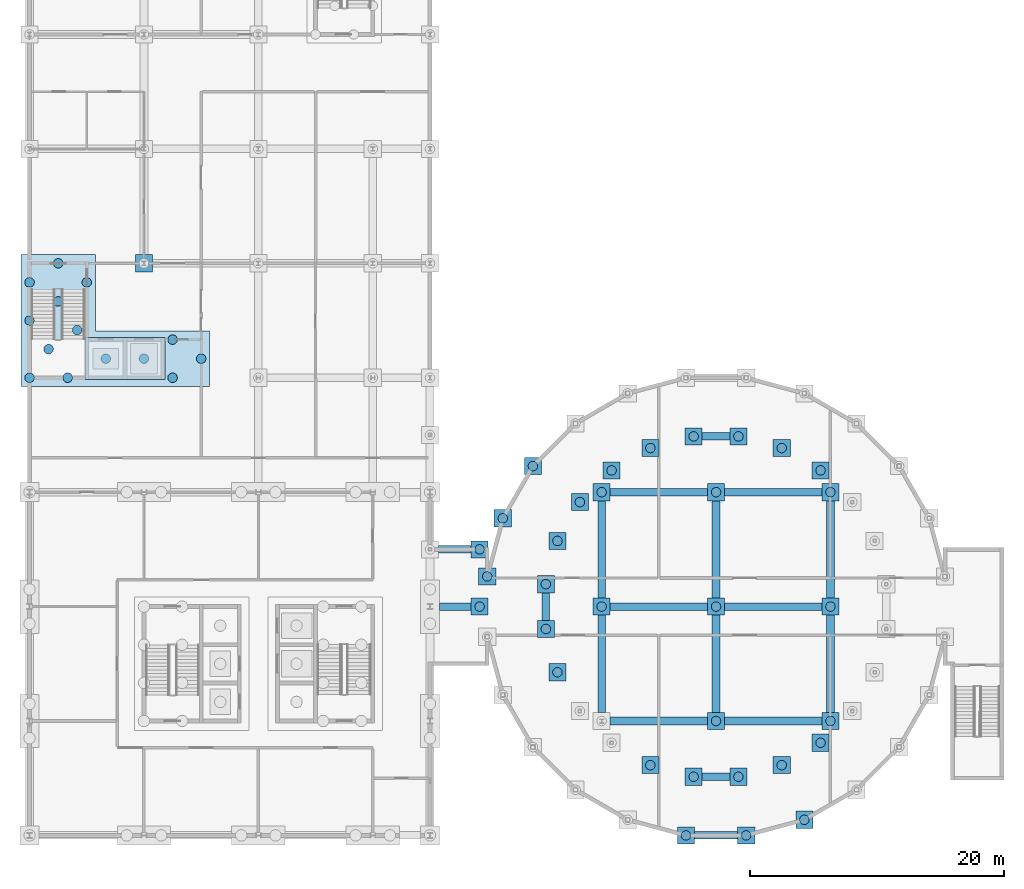
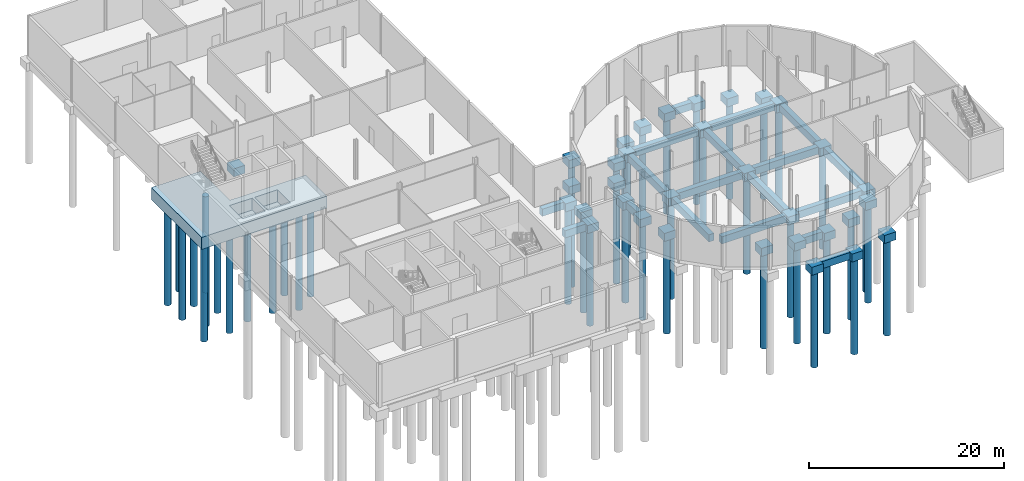
# One storey, part 2 of 25: 53 footings, 46 piles.
"""IFC4 building model written with IfcOpenShell, lengths in metres."""

from ifc_helpers import new_model, si_unit, direction, frame, origin, origin_2d, place, context, subcontext, project, spatial, polyline, circle, outline, extrude, material, material_profile, profile_set, type_object, element, save


model = new_model("IFC4")

# Units and contexts
model_context = context("Model", 3, precision=1e-05, world=origin(), true_north=direction((0.0, 1.0)))
body_context = subcontext(model_context, "Body", "Model", "MODEL_VIEW")
ifc_project = project(units=[si_unit("LENGTHUNIT", "METRE"), si_unit("AREAUNIT", "SQUARE_METRE"), si_unit("VOLUMEUNIT", "CUBIC_METRE"), si_unit("PLANEANGLEUNIT", "RADIAN"), si_unit("MASSUNIT", "GRAM", prefix="KILO")], contexts=[model_context])

# Site, building, storey
site_placement = place(None, origin())
site = spatial("IfcSite", under=ifc_project, at=site_placement, CompositionType="ELEMENT")
building_placement = place(site_placement, origin())
building = spatial("IfcBuilding", under=site, at=building_placement, Name="Hortulan Conservatory and Botanical Research Centre", CompositionType="ELEMENT")
storey_placement = place(building_placement, frame((0.0, 0.0, -5.0)))
storey = spatial("IfcBuildingStorey", under=building, at=storey_placement, Name="B1", CompositionType="ELEMENT", Elevation=-5.0)

# Piles
ifc_material = material(Name="Concrete N40 (40 MPa, AS 3600)", Category="concrete")
ifc_material_profile = material_profile(ifc_material, circle(Radius=0.375, at=origin_2d()), Name="Bored pile 750 diameter")
ifc_profile_set = profile_set([ifc_material_profile], Name="Concrete N40 (40 MPa, AS 3600)")
pile_type = type_object("IfcPileType", Name="Bored Pile 750", PredefinedType="BORED", material=ifc_profile_set)
for number, where, z_axis, x_axis, name in (
    (1, (0.0, 36.0, -1.800048828125), (0.0, 0.0, -1.0), (1.0, 0.0, 0.0), "Bored pile 750"),
    (2, (0.0, 40.5, -1.800048828125), (0.0, 0.0, -1.0), (1.0, 0.0, 0.0), "Bored pile 750"),
    (3, (0.0, 43.5, -1.800048828125), (0.0, 0.0, -1.0), (1.0, 0.0, 0.0), "Bored pile 750"),
    (4, (1.5, 38.25, -1.800048828125), (0.0, 0.0, -1.0), (1.0, 0.0, 0.0), "Bored pile 750"),
    (5, (2.25, 42.0, -1.800048828125), (0.0, 0.0, -1.0), (1.0, 0.0, 0.0), "Bored pile 750"),
    (6, (2.25, 45.0, -1.800048828125), (0.0, 0.0, -1.0), (1.0, 0.0, 0.0), "Bored pile 750"),
    (7, (3.0, 36.0, -1.800048828125), (0.0, 0.0, -1.0), (1.0, 0.0, 0.0), "Bored pile 750"),
    (8, (3.75, 39.75, -1.800048828125), (0.0, 0.0, -1.0), (1.0, 0.0, 0.0), "Bored pile 750"),
    (9, (4.5, 43.5, -1.800048828125), (0.0, 0.0, -1.0), (1.0, 0.0, 0.0), "Bored pile 750"),
    (10, (11.25, 36.0, -1.800048828125), (0.0, 0.0, -1.0), (1.0, 0.0, 0.0), "Bored pile 750"),
    (11, (11.25, 39.0, -1.800048828125), (0.0, 0.0, -1.0), (1.0, 0.0, 0.0), "Bored pile 750"),
    (12, (13.5, 37.5, -1.800048828125), (0.0, 0.0, -1.0), (1.0, 0.0, 0.0), "Bored pile 750"),
    (13, (6.0, 37.5, -2.300048828125), (0.0, 0.0, -1.0), (1.0, 0.0, 0.0), "Bored pile 750"),
    (14, (9.0, 37.5, -2.300048828125), (0.0, 0.0, -1.0), (1.0, 0.0, 0.0), "Bored pile 750"),
    (15, (39.596435546875, 29.05224609375, -1.300048828125), (0.0, 0.0, -1.0), (1.0, 0.0, 0.0), "Bored pile 750"),
    (16, (37.226806640625, 24.94775390625, -1.300048828125), (0.0, 0.0, -1.0), (1.0, 0.0, 0.0), "Bored pile 750"),
    (17, (36.0, 20.36962890625, -1.300048828125), (0.0, 0.0, -1.0), (1.0, 0.0, 0.0), "Bored pile 750"),
    (18, (51.63037109375, 0.0, -1.300048828125), (0.0, 0.0, -1.0), (1.0, 0.0, 0.0), "Bored pile 750"),
    (19, (56.36962890625, 0.0, -1.300048828125), (0.0, 0.0, -1.0), (1.0, 0.0, 0.0), "Bored pile 750"),
    (20, (60.94775390625, 1.226806640625, -1.300048828125), (0.0, 0.0, -1.0), (1.0, 0.0, 0.0), "Bored pile 750"),
    (21, (62.21826171875, 28.710205078125, -1.300048828125), (0.0, 0.0, -1.0), (1.0, 0.0, 0.0), "Bored pile 750"),
    (22, (59.166259765625, 30.472412109375, -1.300048828125), (0.0, 0.0, -1.0), (1.0, 0.0, 0.0), "Bored pile 750"),
    (23, (55.76220703125, 31.384521484375, -1.300048828125), (0.0, 0.0, -1.0), (1.0, 0.0, 0.0), "Bored pile 750"),
    (24, (52.23779296875, 31.384521484375, -1.300048828125), (0.0, 0.0, -1.0), (1.0, 0.0, 0.0), "Bored pile 750"),
    (25, (48.833740234375, 30.472412109375, -1.300048828125), (0.0, 0.0, -1.0), (1.0, 0.0, 0.0), "Bored pile 750"),
    (26, (45.78173828125, 28.710205078125, -1.300048828125), (0.0, 0.0, -1.0), (1.0, 0.0, 0.0), "Bored pile 750"),
    (27, (43.289794921875, 26.21826171875, -1.300048828125), (0.0, 0.0, -1.0), (1.0, 0.0, 0.0), "Bored pile 750"),
    (28, (41.527587890625, 23.166259765625, -1.300048828125), (0.0, 0.0, -1.0), (1.0, 0.0, 0.0), "Bored pile 750"),
    (29, (40.615478515625, 19.76220703125, -1.300048828125), (0.0, 0.0, -1.0), (1.0, 0.0, 0.0), "Bored pile 750"),
    (30, (40.615478515625, 16.23779296875, -1.300048828125), (0.0, 0.0, -1.0), (1.0, 0.0, 0.0), "Bored pile 750"),
    (31, (41.527587890625, 12.833740234375, -1.300048828125), (0.0, 0.0, -1.0), (1.0, 0.0, 0.0), "Bored pile 750"),
    (32, (48.833740234375, 5.527587890625, -1.300048828125), (0.0, 0.0, -1.0), (1.0, 0.0, 0.0), "Bored pile 750"),
    (33, (52.23779296875, 4.615478515625, -1.300048828125), (0.0, 0.0, -1.0), (1.0, 0.0, 0.0), "Bored pile 750"),
    (34, (55.76220703125, 4.615478515625, -1.300048828125), (0.0, 0.0, -1.0), (1.0, 0.0, 0.0), "Bored pile 750"),
    (35, (59.166259765625, 5.527587890625, -1.300048828125), (0.0, 0.0, -1.0), (1.0, 0.0, 0.0), "Bored pile 750"),
    (36, (62.21826171875, 7.289794921875, -1.300048828125), (0.0, 0.0, -1.0), (1.0, 0.0, 0.0), "Bored pile 750"),
    (37, (45.0, 18.0, -1.300048828125), (0.0, 0.0, -1.0), (1.0, 0.0, 0.0), "Bored pile 750"),
    (38, (45.0, 27.0, -1.300048828125), (0.0, 0.0, -1.0), (1.0, 0.0, 0.0), "Bored pile 750"),
    (39, (54.0, 9.0, -1.300048828125), (0.0, 0.0, -1.0), (1.0, 0.0, 0.0), "Bored pile 750"),
    (40, (54.0, 18.0, -1.300048828125), (0.0, 0.0, -1.0), (1.0, 0.0, 0.0), "Bored pile 750"),
    (41, (54.0, 27.0, -1.300048828125), (0.0, 0.0, -1.0), (1.0, 0.0, 0.0), "Bored pile 750"),
    (42, (63.0, 9.0, -1.300048828125), (0.0, 0.0, -1.0), (1.0, 0.0, 0.0), "Bored pile 750"),
    (43, (63.0, 18.0, -1.300048828125), (0.0, 0.0, -1.0), (1.0, 0.0, 0.0), "Bored pile 750"),
    (44, (63.0, 27.0, -1.300048828125), (0.0, 0.0, -1.0), (1.0, 0.0, 0.0), "Bored pile 750"),
    (45, (35.39990234375, 18.0, -1.300048828125), (0.0, 0.0, -1.0), (1.0, 0.0, 0.0), "Bored pile 750"),
    (46, (35.39990234375, 22.5, -1.300048828125), (0.0, 0.0, -1.0), (1.0, 0.0, 0.0), "Bored pile 750"),
):
    element("IfcPile", number, at=place(storey_placement, frame(where, z_axis=z_axis, x_axis=x_axis)), inside=storey, type_object=pile_type, Name=name, PredefinedType="BORED", context=body_context, shape_type="SweptSolid", body=[
        extrude(circle(Radius=0.375, at=origin_2d()), origin(), (0.0, 0.0, 1.0), 12.10009765625),
    ])

# Footings
footing_type_1 = type_object("IfcFootingType", Name="Ground Beam 600x900", PredefinedType="FOOTING_BEAM", material=ifc_material)
footing_1_placement = place(storey_placement, frame((0.0, 0.0, -1.300048828125)))
element("IfcFooting", 47, at=footing_1_placement, inside=storey, type_object=footing_type_1, Name="Ground beam", PredefinedType="FOOTING_BEAM", context=body_context, shape_type="SweptSolid", body=[
    extrude(outline(polyline([(55.694580078125, -0.300048828125), (55.694580078125, 0.300048828125), (52.305419921875, 0.300048828125), (52.305419921875, -0.300048828125), (55.694580078125, -0.300048828125)])), origin(), (0.0, 0.0, 1.0), 0.900146484375),
])
footing_2_placement = place(storey_placement, frame((0.0, 0.0, -1.300048828125)))
element("IfcFooting", 48, at=footing_2_placement, inside=storey, type_object=footing_type_1, Name="Ground beam", PredefinedType="FOOTING_BEAM", context=body_context, shape_type="SweptSolid", body=[
    extrude(outline(polyline([(55.087158203125, 4.3154296875), (55.087158203125, 4.91552734375), (52.912841796875, 4.91552734375), (52.912841796875, 4.3154296875), (55.087158203125, 4.3154296875)])), origin(), (0.0, 0.0, 1.0), 0.900146484375),
])
footing_3_placement = place(storey_placement, frame((0.0, 0.0, -1.300048828125)))
element("IfcFooting", 49, at=footing_3_placement, inside=storey, type_object=footing_type_1, Name="Ground beam", PredefinedType="FOOTING_BEAM", context=body_context, shape_type="SweptSolid", body=[
    extrude(outline(polyline([(53.324951171875, 8.699951171875), (53.324951171875, 9.300048828125), (45.675048828125, 9.300048828125), (45.675048828125, 8.699951171875), (53.324951171875, 8.699951171875)])), origin(), (0.0, 0.0, 1.0), 0.900146484375),
])
footing_4_placement = place(storey_placement, frame((0.0, 0.0, -1.300048828125)))
element("IfcFooting", 50, at=footing_4_placement, inside=storey, type_object=footing_type_1, Name="Ground beam", PredefinedType="FOOTING_BEAM", context=body_context, shape_type="SweptSolid", body=[
    extrude(outline(polyline([(62.324951171875, 8.699951171875), (62.324951171875, 9.300048828125), (54.675048828125, 9.300048828125), (54.675048828125, 8.699951171875), (62.324951171875, 8.699951171875)])), origin(), (0.0, 0.0, 1.0), 0.900146484375),
])
footing_5_placement = place(storey_placement, frame((0.0, 0.0, -1.300048828125)))
element("IfcFooting", 51, at=footing_5_placement, inside=storey, type_object=footing_type_1, Name="Ground beam", PredefinedType="FOOTING_BEAM", context=body_context, shape_type="SweptSolid", body=[
    extrude(outline(polyline([(34.72509765625, 17.699951171875), (34.72509765625, 18.300048828125), (32.25, 18.300048828125), (32.25, 17.699951171875), (34.72509765625, 17.699951171875)])), origin(), (0.0, 0.0, 1.0), 0.900146484375),
])
footing_6_placement = place(storey_placement, frame((0.0, 0.0, -1.300048828125)))
element("IfcFooting", 52, at=footing_6_placement, inside=storey, type_object=footing_type_1, Name="Ground beam", PredefinedType="FOOTING_BEAM", context=body_context, shape_type="SweptSolid", body=[
    extrude(outline(polyline([(53.324951171875, 17.699951171875), (53.324951171875, 18.300048828125), (45.675048828125, 18.300048828125), (45.675048828125, 17.699951171875), (53.324951171875, 17.699951171875)])), origin(), (0.0, 0.0, 1.0), 0.900146484375),
])
footing_7_placement = place(storey_placement, frame((0.0, 0.0, -1.300048828125)))
element("IfcFooting", 53, at=footing_7_placement, inside=storey, type_object=footing_type_1, Name="Ground beam", PredefinedType="FOOTING_BEAM", context=body_context, shape_type="SweptSolid", body=[
    extrude(outline(polyline([(62.324951171875, 17.699951171875), (62.324951171875, 18.300048828125), (54.675048828125, 18.300048828125), (54.675048828125, 17.699951171875), (62.324951171875, 17.699951171875)])), origin(), (0.0, 0.0, 1.0), 0.900146484375),
])
footing_8_placement = place(storey_placement, frame((0.0, 0.0, -1.300048828125)))
element("IfcFooting", 54, at=footing_8_placement, inside=storey, type_object=footing_type_1, Name="Ground beam", PredefinedType="FOOTING_BEAM", context=body_context, shape_type="SweptSolid", body=[
    extrude(outline(polyline([(34.72509765625, 22.199951171875), (34.72509765625, 22.800048828125), (32.175048828125, 22.800048828125), (32.175048828125, 22.199951171875), (34.72509765625, 22.199951171875)])), origin(), (0.0, 0.0, 1.0), 0.900146484375),
])
footing_9_placement = place(storey_placement, frame((0.0, 0.0, -1.300048828125)))
element("IfcFooting", 55, at=footing_9_placement, inside=storey, type_object=footing_type_1, Name="Ground beam", PredefinedType="FOOTING_BEAM", context=body_context, shape_type="SweptSolid", body=[
    extrude(outline(polyline([(53.324951171875, 26.699951171875), (53.324951171875, 27.300048828125), (45.675048828125, 27.300048828125), (45.675048828125, 26.699951171875), (53.324951171875, 26.699951171875)])), origin(), (0.0, 0.0, 1.0), 0.900146484375),
])
footing_10_placement = place(storey_placement, frame((0.0, 0.0, -1.300048828125)))
element("IfcFooting", 56, at=footing_10_placement, inside=storey, type_object=footing_type_1, Name="Ground beam", PredefinedType="FOOTING_BEAM", context=body_context, shape_type="SweptSolid", body=[
    extrude(outline(polyline([(62.324951171875, 26.699951171875), (62.324951171875, 27.300048828125), (54.675048828125, 27.300048828125), (54.675048828125, 26.699951171875), (62.324951171875, 26.699951171875)])), origin(), (0.0, 0.0, 1.0), 0.900146484375),
])
footing_11_placement = place(storey_placement, frame((0.0, 0.0, -1.300048828125)))
element("IfcFooting", 57, at=footing_11_placement, inside=storey, type_object=footing_type_1, Name="Ground beam", PredefinedType="FOOTING_BEAM", context=body_context, shape_type="SweptSolid", body=[
    extrude(outline(polyline([(55.087158203125, 31.08447265625), (55.087158203125, 31.6845703125), (52.912841796875, 31.6845703125), (52.912841796875, 31.08447265625), (55.087158203125, 31.08447265625)])), origin(), (0.0, 0.0, 1.0), 0.900146484375),
])
footing_12_placement = place(storey_placement, frame((0.0, 0.0, -1.300048828125)))
element("IfcFooting", 58, at=footing_12_placement, inside=storey, type_object=footing_type_1, Name="Ground beam", PredefinedType="FOOTING_BEAM", context=body_context, shape_type="SweptSolid", body=[
    extrude(outline(polyline([(40.91552734375, 16.912841796875), (40.91552734375, 19.087158203125), (40.3154296875, 19.087158203125), (40.3154296875, 16.912841796875), (40.91552734375, 16.912841796875)])), origin(), (0.0, 0.0, 1.0), 0.900146484375),
])
footing_13_placement = place(storey_placement, frame((0.0, 0.0, -1.300048828125)))
element("IfcFooting", 59, at=footing_13_placement, inside=storey, type_object=footing_type_1, Name="Ground beam", PredefinedType="FOOTING_BEAM", context=body_context, shape_type="SweptSolid", body=[
    extrude(outline(polyline([(45.300048828125, 9.675048828125), (45.300048828125, 17.324951171875), (44.699951171875, 17.324951171875), (44.699951171875, 9.675048828125), (45.300048828125, 9.675048828125)])), origin(), (0.0, 0.0, 1.0), 0.900146484375),
])
footing_14_placement = place(storey_placement, frame((0.0, 0.0, -1.300048828125)))
element("IfcFooting", 60, at=footing_14_placement, inside=storey, type_object=footing_type_1, Name="Ground beam", PredefinedType="FOOTING_BEAM", context=body_context, shape_type="SweptSolid", body=[
    extrude(outline(polyline([(45.300048828125, 18.675048828125), (45.300048828125, 26.324951171875), (44.699951171875, 26.324951171875), (44.699951171875, 18.675048828125), (45.300048828125, 18.675048828125)])), origin(), (0.0, 0.0, 1.0), 0.900146484375),
])
footing_15_placement = place(storey_placement, frame((0.0, 0.0, -1.300048828125)))
element("IfcFooting", 61, at=footing_15_placement, inside=storey, type_object=footing_type_1, Name="Ground beam", PredefinedType="FOOTING_BEAM", context=body_context, shape_type="SweptSolid", body=[
    extrude(outline(polyline([(54.300048828125, 9.675048828125), (54.300048828125, 17.324951171875), (53.699951171875, 17.324951171875), (53.699951171875, 9.675048828125), (54.300048828125, 9.675048828125)])), origin(), (0.0, 0.0, 1.0), 0.900146484375),
])
footing_16_placement = place(storey_placement, frame((0.0, 0.0, -1.300048828125)))
element("IfcFooting", 62, at=footing_16_placement, inside=storey, type_object=footing_type_1, Name="Ground beam", PredefinedType="FOOTING_BEAM", context=body_context, shape_type="SweptSolid", body=[
    extrude(outline(polyline([(54.300048828125, 18.675048828125), (54.300048828125, 26.324951171875), (53.699951171875, 26.324951171875), (53.699951171875, 18.675048828125), (54.300048828125, 18.675048828125)])), origin(), (0.0, 0.0, 1.0), 0.900146484375),
])
footing_17_placement = place(storey_placement, frame((0.0, 0.0, -1.300048828125)))
element("IfcFooting", 63, at=footing_17_placement, inside=storey, type_object=footing_type_1, Name="Ground beam", PredefinedType="FOOTING_BEAM", context=body_context, shape_type="SweptSolid", body=[
    extrude(outline(polyline([(63.300048828125, 9.675048828125), (63.300048828125, 17.324951171875), (62.699951171875, 17.324951171875), (62.699951171875, 9.675048828125), (63.300048828125, 9.675048828125)])), origin(), (0.0, 0.0, 1.0), 0.900146484375),
])
footing_18_placement = place(storey_placement, frame((0.0, 0.0, -1.300048828125)))
element("IfcFooting", 64, at=footing_18_placement, inside=storey, type_object=footing_type_1, Name="Ground beam", PredefinedType="FOOTING_BEAM", context=body_context, shape_type="SweptSolid", body=[
    extrude(outline(polyline([(63.300048828125, 18.675048828125), (63.300048828125, 26.324951171875), (62.699951171875, 26.324951171875), (62.699951171875, 18.675048828125), (63.300048828125, 18.675048828125)])), origin(), (0.0, 0.0, 1.0), 0.900146484375),
])
footing_type_2 = type_object("IfcFootingType", Name="Lift Pit Pile Cap 500", PredefinedType="PILE_CAP", material=ifc_material)
footing_19_placement = place(storey_placement, frame((0.0, 0.0, -2.39990234375)))
element("IfcFooting", 65, at=footing_19_placement, inside=storey, type_object=footing_type_2, Name="Lift pit pile cap", PredefinedType="PILE_CAP", context=body_context, shape_type="SweptSolid", body=[
    extrude(outline(polyline([(7.64990234375, 39.14990234375), (7.35009765625, 39.14990234375), (4.35009765625, 39.14990234375), (4.35009765625, 35.85009765625), (7.35009765625, 35.85009765625), (7.64990234375, 35.85009765625), (10.64990234375, 35.85009765625), (10.64990234375, 39.14990234375), (7.64990234375, 39.14990234375)])), origin(), (0.0, 0.0, 1.0), 0.5),
])
footing_type_3 = type_object("IfcFootingType", Name="Pile Cap 1350x1350x1000", PredefinedType="PILE_CAP", material=ifc_material)
footing_20_placement = place(storey_placement, frame((0.0, 0.0, -1.39990234375)))
element("IfcFooting", 66, at=footing_20_placement, inside=storey, type_object=footing_type_3, Name="Pile cap", PredefinedType="PILE_CAP", context=body_context, shape_type="SweptSolid", body=[
    extrude(outline(polyline([(9.675048828125, 44.324951171875), (9.675048828125, 45.675048828125), (8.324951171875, 45.675048828125), (8.324951171875, 44.324951171875), (9.675048828125, 44.324951171875)])), origin(), (0.0, 0.0, 1.0), 1.0),
])
footing_21_placement = place(storey_placement, frame((0.0, 0.0, -1.39990234375)))
element("IfcFooting", 67, at=footing_21_placement, inside=storey, type_object=footing_type_3, Name="Pile cap", PredefinedType="PILE_CAP", context=body_context, shape_type="SweptSolid", body=[
    extrude(outline(polyline([(40.271484375, 28.377197265625), (40.271484375, 29.727294921875), (38.92138671875, 29.727294921875), (38.92138671875, 28.377197265625), (40.271484375, 28.377197265625)])), origin(), (0.0, 0.0, 1.0), 1.0),
])
footing_22_placement = place(storey_placement, frame((0.0, 0.0, -1.39990234375)))
element("IfcFooting", 68, at=footing_22_placement, inside=storey, type_object=footing_type_3, Name="Pile cap", PredefinedType="PILE_CAP", context=body_context, shape_type="SweptSolid", body=[
    extrude(outline(polyline([(37.901611328125, 24.272705078125), (37.901611328125, 25.622802734375), (36.5517578125, 25.622802734375), (36.5517578125, 24.272705078125), (37.901611328125, 24.272705078125)])), origin(), (0.0, 0.0, 1.0), 1.0),
])
footing_23_placement = place(storey_placement, frame((0.0, 0.0, -1.39990234375)))
element("IfcFooting", 69, at=footing_23_placement, inside=storey, type_object=footing_type_3, Name="Pile cap", PredefinedType="PILE_CAP", context=body_context, shape_type="SweptSolid", body=[
    extrude(outline(polyline([(36.675048828125, 19.694580078125), (36.675048828125, 21.044677734375), (35.324951171875, 21.044677734375), (35.324951171875, 19.694580078125), (36.675048828125, 19.694580078125)])), origin(), (0.0, 0.0, 1.0), 1.0),
])
footing_24_placement = place(storey_placement, frame((0.0, 0.0, -1.39990234375)))
element("IfcFooting", 70, at=footing_24_placement, inside=storey, type_object=footing_type_3, Name="Pile cap", PredefinedType="PILE_CAP", context=body_context, shape_type="SweptSolid", body=[
    extrude(outline(polyline([(52.305419921875, -0.675048828125), (52.305419921875, 0.675048828125), (50.955322265625, 0.675048828125), (50.955322265625, -0.675048828125), (52.305419921875, -0.675048828125)])), origin(), (0.0, 0.0, 1.0), 1.0),
])
footing_25_placement = place(storey_placement, frame((0.0, 0.0, -1.39990234375)))
element("IfcFooting", 71, at=footing_25_placement, inside=storey, type_object=footing_type_3, Name="Pile cap", PredefinedType="PILE_CAP", context=body_context, shape_type="SweptSolid", body=[
    extrude(outline(polyline([(57.044677734375, -0.675048828125), (57.044677734375, 0.675048828125), (55.694580078125, 0.675048828125), (55.694580078125, -0.675048828125), (57.044677734375, -0.675048828125)])), origin(), (0.0, 0.0, 1.0), 1.0),
])
footing_26_placement = place(storey_placement, frame((0.0, 0.0, -1.39990234375)))
element("IfcFooting", 72, at=footing_26_placement, inside=storey, type_object=footing_type_3, Name="Pile cap", PredefinedType="PILE_CAP", context=body_context, shape_type="SweptSolid", body=[
    extrude(outline(polyline([(61.622802734375, 0.5517578125), (61.622802734375, 1.901611328125), (60.272705078125, 1.901611328125), (60.272705078125, 0.5517578125), (61.622802734375, 0.5517578125)])), origin(), (0.0, 0.0, 1.0), 1.0),
])
footing_27_placement = place(storey_placement, frame((0.0, 0.0, -1.39990234375)))
element("IfcFooting", 73, at=footing_27_placement, inside=storey, type_object=footing_type_3, Name="Pile cap", PredefinedType="PILE_CAP", context=body_context, shape_type="SweptSolid", body=[
    extrude(outline(polyline([(62.893310546875, 28.035400390625), (62.893310546875, 29.38525390625), (61.543212890625, 29.38525390625), (61.543212890625, 28.035400390625), (62.893310546875, 28.035400390625)])), origin(), (0.0, 0.0, 1.0), 1.0),
])
footing_28_placement = place(storey_placement, frame((0.0, 0.0, -1.39990234375)))
element("IfcFooting", 74, at=footing_28_placement, inside=storey, type_object=footing_type_3, Name="Pile cap", PredefinedType="PILE_CAP", context=body_context, shape_type="SweptSolid", body=[
    extrude(outline(polyline([(59.84130859375, 29.79736328125), (59.84130859375, 31.1474609375), (58.4912109375, 31.1474609375), (58.4912109375, 29.79736328125), (59.84130859375, 29.79736328125)])), origin(), (0.0, 0.0, 1.0), 1.0),
])
footing_29_placement = place(storey_placement, frame((0.0, 0.0, -1.39990234375)))
element("IfcFooting", 75, at=footing_29_placement, inside=storey, type_object=footing_type_3, Name="Pile cap", PredefinedType="PILE_CAP", context=body_context, shape_type="SweptSolid", body=[
    extrude(outline(polyline([(56.43701171875, 30.70947265625), (56.43701171875, 32.0595703125), (55.087158203125, 32.0595703125), (55.087158203125, 30.70947265625), (56.43701171875, 30.70947265625)])), origin(), (0.0, 0.0, 1.0), 1.0),
])
footing_30_placement = place(storey_placement, frame((0.0, 0.0, -1.39990234375)))
element("IfcFooting", 76, at=footing_30_placement, inside=storey, type_object=footing_type_3, Name="Pile cap", PredefinedType="PILE_CAP", context=body_context, shape_type="SweptSolid", body=[
    extrude(outline(polyline([(52.912841796875, 30.70947265625), (52.912841796875, 32.0595703125), (51.56298828125, 32.0595703125), (51.56298828125, 30.70947265625), (52.912841796875, 30.70947265625)])), origin(), (0.0, 0.0, 1.0), 1.0),
])
footing_31_placement = place(storey_placement, frame((0.0, 0.0, -1.39990234375)))
element("IfcFooting", 77, at=footing_31_placement, inside=storey, type_object=footing_type_3, Name="Pile cap", PredefinedType="PILE_CAP", context=body_context, shape_type="SweptSolid", body=[
    extrude(outline(polyline([(49.5087890625, 29.79736328125), (49.5087890625, 31.1474609375), (48.15869140625, 31.1474609375), (48.15869140625, 29.79736328125), (49.5087890625, 29.79736328125)])), origin(), (0.0, 0.0, 1.0), 1.0),
])
footing_32_placement = place(storey_placement, frame((0.0, 0.0, -1.39990234375)))
element("IfcFooting", 78, at=footing_32_placement, inside=storey, type_object=footing_type_3, Name="Pile cap", PredefinedType="PILE_CAP", context=body_context, shape_type="SweptSolid", body=[
    extrude(outline(polyline([(46.456787109375, 28.035400390625), (46.456787109375, 29.38525390625), (45.106689453125, 29.38525390625), (45.106689453125, 28.035400390625), (46.456787109375, 28.035400390625)])), origin(), (0.0, 0.0, 1.0), 1.0),
])
footing_33_placement = place(storey_placement, frame((0.0, 0.0, -1.39990234375)))
element("IfcFooting", 79, at=footing_33_placement, inside=storey, type_object=footing_type_3, Name="Pile cap", PredefinedType="PILE_CAP", context=body_context, shape_type="SweptSolid", body=[
    extrude(outline(polyline([(43.964599609375, 25.543212890625), (43.964599609375, 26.893310546875), (42.61474609375, 26.893310546875), (42.61474609375, 25.543212890625), (43.964599609375, 25.543212890625)])), origin(), (0.0, 0.0, 1.0), 1.0),
])
footing_34_placement = place(storey_placement, frame((0.0, 0.0, -1.39990234375)))
element("IfcFooting", 80, at=footing_34_placement, inside=storey, type_object=footing_type_3, Name="Pile cap", PredefinedType="PILE_CAP", context=body_context, shape_type="SweptSolid", body=[
    extrude(outline(polyline([(42.20263671875, 22.4912109375), (42.20263671875, 23.84130859375), (40.8525390625, 23.84130859375), (40.8525390625, 22.4912109375), (42.20263671875, 22.4912109375)])), origin(), (0.0, 0.0, 1.0), 1.0),
])
footing_35_placement = place(storey_placement, frame((0.0, 0.0, -1.39990234375)))
element("IfcFooting", 81, at=footing_35_placement, inside=storey, type_object=footing_type_3, Name="Pile cap", PredefinedType="PILE_CAP", context=body_context, shape_type="SweptSolid", body=[
    extrude(outline(polyline([(41.29052734375, 19.087158203125), (41.29052734375, 20.43701171875), (39.9404296875, 20.43701171875), (39.9404296875, 19.087158203125), (41.29052734375, 19.087158203125)])), origin(), (0.0, 0.0, 1.0), 1.0),
])
footing_36_placement = place(storey_placement, frame((0.0, 0.0, -1.39990234375)))
element("IfcFooting", 82, at=footing_36_placement, inside=storey, type_object=footing_type_3, Name="Pile cap", PredefinedType="PILE_CAP", context=body_context, shape_type="SweptSolid", body=[
    extrude(outline(polyline([(41.29052734375, 15.56298828125), (41.29052734375, 16.912841796875), (39.9404296875, 16.912841796875), (39.9404296875, 15.56298828125), (41.29052734375, 15.56298828125)])), origin(), (0.0, 0.0, 1.0), 1.0),
])
footing_37_placement = place(storey_placement, frame((0.0, 0.0, -1.39990234375)))
element("IfcFooting", 83, at=footing_37_placement, inside=storey, type_object=footing_type_3, Name="Pile cap", PredefinedType="PILE_CAP", context=body_context, shape_type="SweptSolid", body=[
    extrude(outline(polyline([(42.20263671875, 12.15869140625), (42.20263671875, 13.5087890625), (40.8525390625, 13.5087890625), (40.8525390625, 12.15869140625), (42.20263671875, 12.15869140625)])), origin(), (0.0, 0.0, 1.0), 1.0),
])
footing_38_placement = place(storey_placement, frame((0.0, 0.0, -1.39990234375)))
element("IfcFooting", 84, at=footing_38_placement, inside=storey, type_object=footing_type_3, Name="Pile cap", PredefinedType="PILE_CAP", context=body_context, shape_type="SweptSolid", body=[
    extrude(outline(polyline([(49.5087890625, 4.8525390625), (49.5087890625, 6.20263671875), (48.15869140625, 6.20263671875), (48.15869140625, 4.8525390625), (49.5087890625, 4.8525390625)])), origin(), (0.0, 0.0, 1.0), 1.0),
])
footing_39_placement = place(storey_placement, frame((0.0, 0.0, -1.39990234375)))
element("IfcFooting", 85, at=footing_39_placement, inside=storey, type_object=footing_type_3, Name="Pile cap", PredefinedType="PILE_CAP", context=body_context, shape_type="SweptSolid", body=[
    extrude(outline(polyline([(52.912841796875, 3.9404296875), (52.912841796875, 5.29052734375), (51.56298828125, 5.29052734375), (51.56298828125, 3.9404296875), (52.912841796875, 3.9404296875)])), origin(), (0.0, 0.0, 1.0), 1.0),
])
footing_40_placement = place(storey_placement, frame((0.0, 0.0, -1.39990234375)))
element("IfcFooting", 86, at=footing_40_placement, inside=storey, type_object=footing_type_3, Name="Pile cap", PredefinedType="PILE_CAP", context=body_context, shape_type="SweptSolid", body=[
    extrude(outline(polyline([(56.43701171875, 3.9404296875), (56.43701171875, 5.29052734375), (55.087158203125, 5.29052734375), (55.087158203125, 3.9404296875), (56.43701171875, 3.9404296875)])), origin(), (0.0, 0.0, 1.0), 1.0),
])
footing_41_placement = place(storey_placement, frame((0.0, 0.0, -1.39990234375)))
element("IfcFooting", 87, at=footing_41_placement, inside=storey, type_object=footing_type_3, Name="Pile cap", PredefinedType="PILE_CAP", context=body_context, shape_type="SweptSolid", body=[
    extrude(outline(polyline([(59.84130859375, 4.8525390625), (59.84130859375, 6.20263671875), (58.4912109375, 6.20263671875), (58.4912109375, 4.8525390625), (59.84130859375, 4.8525390625)])), origin(), (0.0, 0.0, 1.0), 1.0),
])
footing_42_placement = place(storey_placement, frame((0.0, 0.0, -1.39990234375)))
element("IfcFooting", 88, at=footing_42_placement, inside=storey, type_object=footing_type_3, Name="Pile cap", PredefinedType="PILE_CAP", context=body_context, shape_type="SweptSolid", body=[
    extrude(outline(polyline([(62.893310546875, 6.61474609375), (62.893310546875, 7.964599609375), (61.543212890625, 7.964599609375), (61.543212890625, 6.61474609375), (62.893310546875, 6.61474609375)])), origin(), (0.0, 0.0, 1.0), 1.0),
])
footing_43_placement = place(storey_placement, frame((0.0, 0.0, -1.39990234375)))
element("IfcFooting", 89, at=footing_43_placement, inside=storey, type_object=footing_type_3, Name="Pile cap", PredefinedType="PILE_CAP", context=body_context, shape_type="SweptSolid", body=[
    extrude(outline(polyline([(45.675048828125, 17.324951171875), (45.675048828125, 18.675048828125), (44.324951171875, 18.675048828125), (44.324951171875, 17.324951171875), (45.675048828125, 17.324951171875)])), origin(), (0.0, 0.0, 1.0), 1.0),
])
footing_44_placement = place(storey_placement, frame((0.0, 0.0, -1.39990234375)))
element("IfcFooting", 90, at=footing_44_placement, inside=storey, type_object=footing_type_3, Name="Pile cap", PredefinedType="PILE_CAP", context=body_context, shape_type="SweptSolid", body=[
    extrude(outline(polyline([(45.675048828125, 26.324951171875), (45.675048828125, 27.675048828125), (44.324951171875, 27.675048828125), (44.324951171875, 26.324951171875), (45.675048828125, 26.324951171875)])), origin(), (0.0, 0.0, 1.0), 1.0),
])
footing_45_placement = place(storey_placement, frame((0.0, 0.0, -1.39990234375)))
element("IfcFooting", 91, at=footing_45_placement, inside=storey, type_object=footing_type_3, Name="Pile cap", PredefinedType="PILE_CAP", context=body_context, shape_type="SweptSolid", body=[
    extrude(outline(polyline([(54.675048828125, 8.324951171875), (54.675048828125, 9.675048828125), (53.324951171875, 9.675048828125), (53.324951171875, 8.324951171875), (54.675048828125, 8.324951171875)])), origin(), (0.0, 0.0, 1.0), 1.0),
])
footing_46_placement = place(storey_placement, frame((0.0, 0.0, -1.39990234375)))
element("IfcFooting", 92, at=footing_46_placement, inside=storey, type_object=footing_type_3, Name="Pile cap", PredefinedType="PILE_CAP", context=body_context, shape_type="SweptSolid", body=[
    extrude(outline(polyline([(54.675048828125, 17.324951171875), (54.675048828125, 18.675048828125), (53.324951171875, 18.675048828125), (53.324951171875, 17.324951171875), (54.675048828125, 17.324951171875)])), origin(), (0.0, 0.0, 1.0), 1.0),
])
footing_47_placement = place(storey_placement, frame((0.0, 0.0, -1.39990234375)))
element("IfcFooting", 93, at=footing_47_placement, inside=storey, type_object=footing_type_3, Name="Pile cap", PredefinedType="PILE_CAP", context=body_context, shape_type="SweptSolid", body=[
    extrude(outline(polyline([(54.675048828125, 26.324951171875), (54.675048828125, 27.675048828125), (53.324951171875, 27.675048828125), (53.324951171875, 26.324951171875), (54.675048828125, 26.324951171875)])), origin(), (0.0, 0.0, 1.0), 1.0),
])
footing_48_placement = place(storey_placement, frame((0.0, 0.0, -1.39990234375)))
element("IfcFooting", 94, at=footing_48_placement, inside=storey, type_object=footing_type_3, Name="Pile cap", PredefinedType="PILE_CAP", context=body_context, shape_type="SweptSolid", body=[
    extrude(outline(polyline([(63.675048828125, 8.324951171875), (63.675048828125, 9.675048828125), (62.324951171875, 9.675048828125), (62.324951171875, 8.324951171875), (63.675048828125, 8.324951171875)])), origin(), (0.0, 0.0, 1.0), 1.0),
])
footing_49_placement = place(storey_placement, frame((0.0, 0.0, -1.39990234375)))
element("IfcFooting", 95, at=footing_49_placement, inside=storey, type_object=footing_type_3, Name="Pile cap", PredefinedType="PILE_CAP", context=body_context, shape_type="SweptSolid", body=[
    extrude(outline(polyline([(63.675048828125, 17.324951171875), (63.675048828125, 18.675048828125), (62.324951171875, 18.675048828125), (62.324951171875, 17.324951171875), (63.675048828125, 17.324951171875)])), origin(), (0.0, 0.0, 1.0), 1.0),
])
footing_50_placement = place(storey_placement, frame((0.0, 0.0, -1.39990234375)))
element("IfcFooting", 96, at=footing_50_placement, inside=storey, type_object=footing_type_3, Name="Pile cap", PredefinedType="PILE_CAP", context=body_context, shape_type="SweptSolid", body=[
    extrude(outline(polyline([(63.675048828125, 26.324951171875), (63.675048828125, 27.675048828125), (62.324951171875, 27.675048828125), (62.324951171875, 26.324951171875), (63.675048828125, 26.324951171875)])), origin(), (0.0, 0.0, 1.0), 1.0),
])
footing_51_placement = place(storey_placement, frame((0.0, 0.0, -1.39990234375)))
element("IfcFooting", 97, at=footing_51_placement, inside=storey, type_object=footing_type_3, Name="Pile cap", PredefinedType="PILE_CAP", context=body_context, shape_type="SweptSolid", body=[
    extrude(outline(polyline([(36.074951171875, 17.324951171875), (36.074951171875, 18.675048828125), (34.72509765625, 18.675048828125), (34.72509765625, 17.324951171875), (36.074951171875, 17.324951171875)])), origin(), (0.0, 0.0, 1.0), 1.0),
])
footing_52_placement = place(storey_placement, frame((0.0, 0.0, -1.39990234375)))
element("IfcFooting", 98, at=footing_52_placement, inside=storey, type_object=footing_type_3, Name="Pile cap", PredefinedType="PILE_CAP", context=body_context, shape_type="SweptSolid", body=[
    extrude(outline(polyline([(36.074951171875, 21.824951171875), (36.074951171875, 23.175048828125), (34.72509765625, 23.175048828125), (34.72509765625, 21.824951171875), (36.074951171875, 21.824951171875)])), origin(), (0.0, 0.0, 1.0), 1.0),
])
footing_type_4 = type_object("IfcFootingType", Name="Pile Raft 1500", PredefinedType="PILE_CAP", material=ifc_material)
footing_53_placement = place(storey_placement, frame((0.0, 0.0, -1.89990234375)))
element("IfcFooting", 99, at=footing_53_placement, inside=storey, type_object=footing_type_4, Name="Pile raft under shaft walls", PredefinedType="PILE_CAP", context=body_context, shape_type="SweptSolid", body=[
    extrude(outline(polyline([(14.175048828125, 35.324951171875), (14.175048828125, 39.675048828125), (5.175048828125, 39.675048828125), (5.175048828125, 45.675048828125), (-0.675048828125, 45.675048828125), (-0.675048828125, 35.324951171875), (14.175048828125, 35.324951171875)]), holes=[polyline([(7.35009765625, 36.14990234375), (7.35009765625, 38.85009765625), (4.64990234375, 38.85009765625), (4.64990234375, 36.14990234375), (7.35009765625, 36.14990234375)]), polyline([(10.35009765625, 36.14990234375), (10.35009765625, 38.85009765625), (7.64990234375, 38.85009765625), (7.64990234375, 36.14990234375), (10.35009765625, 36.14990234375)])]), origin(), (0.0, 0.0, 1.0), 1.5),
])

save(model, "model.ifc")
